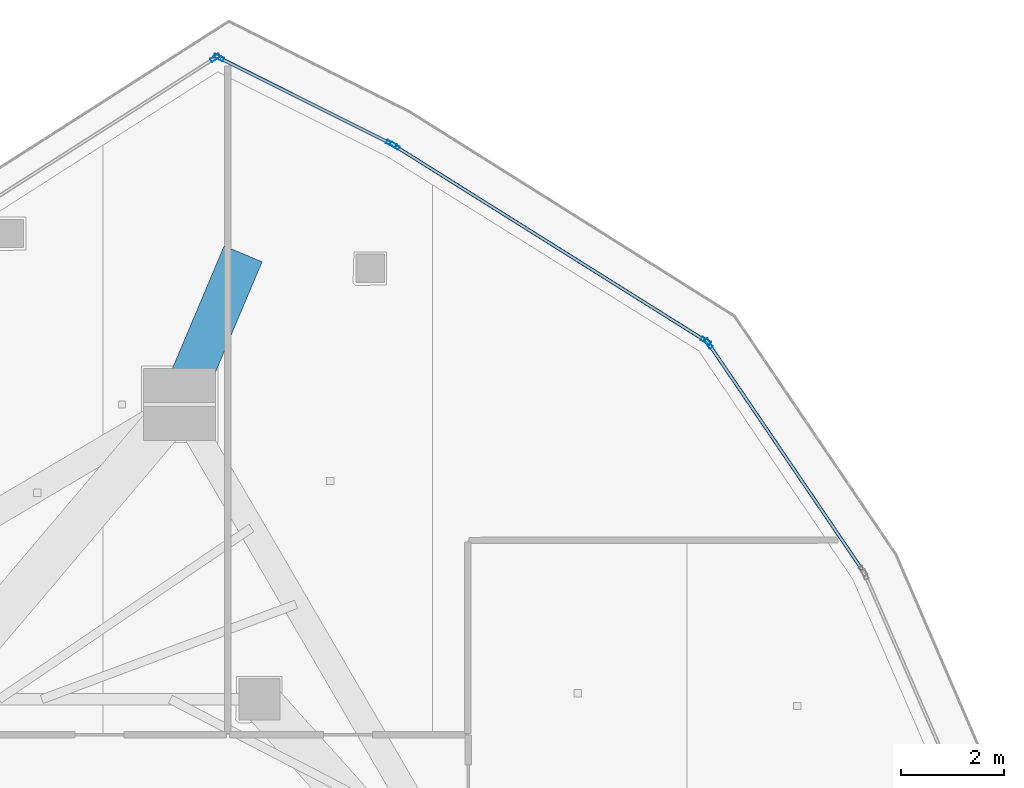
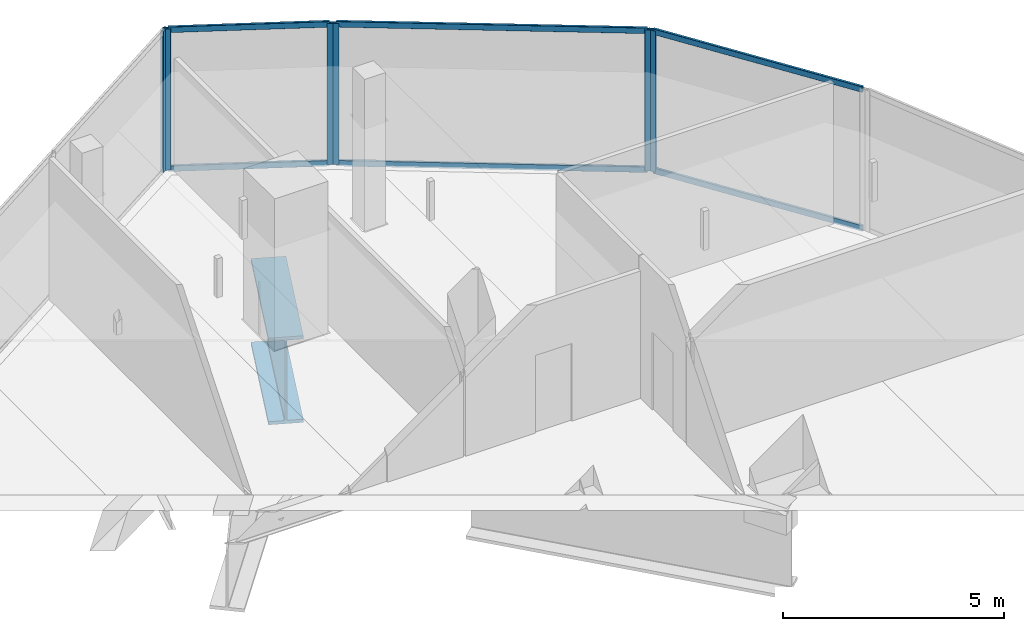
# One storey, part 18 of 29: 12 members, 1 beam, 4 elements without a shape of their own.
"""IFC4 building model written with IfcOpenShell, lengths in metres."""

from ifc_helpers import new_model, si_unit, direction, frame, origin, origin_2d, place, context, subcontext, project, spatial, hollow_rectangle, i_section, extrude, material, layer, layer_set, material_profile, profile_set, type_object, element, aggregate, save


model = new_model("IFC4")

# Units and contexts
model_context = context("Model", 3, precision=1e-05, world=origin(), true_north=direction((0.0, 1.0)))
body_context = subcontext(model_context, "Body", "Model", "MODEL_VIEW")
ifc_project = project(units=[si_unit("LENGTHUNIT", "METRE"), si_unit("AREAUNIT", "SQUARE_METRE"), si_unit("VOLUMEUNIT", "CUBIC_METRE"), si_unit("PLANEANGLEUNIT", "RADIAN"), si_unit("MASSUNIT", "GRAM", prefix="KILO")], contexts=[model_context])

# Site, building, storey
site_placement = place(None, origin())
site = spatial("IfcSite", under=ifc_project, at=site_placement, CompositionType="ELEMENT")
building_placement = place(site_placement, origin())
building = spatial("IfcBuilding", under=site, at=building_placement, Name="Qorvath Tower", CompositionType="ELEMENT")
storey_placement = place(building_placement, frame((0.0, 0.0, 285.0)))
storey = spatial("IfcBuildingStorey", under=building, at=storey_placement, Name="L66", CompositionType="ELEMENT", Elevation=285.0)

# Beam
ifc_material_1 = material(Name="Steel ASTM A572 Grade 50", Category="steel")
ifc_material_profile_1 = material_profile(ifc_material_1, i_section(OverallWidth=0.800048828125, OverallDepth=2.39990234375, WebThickness=0.044921875, FlangeThickness=0.090087890625, FilletRadius=0.02490234375, at=origin_2d()), Name="WTG 2400x800")
ifc_profile_set_1 = profile_set([ifc_material_profile_1], Name="Steel ASTM A572 Grade 50")
beam_type = type_object("IfcBeamType", Name="BM-TG2", PredefinedType="BEAM", material=ifc_profile_set_1)
beam_placement = place(storey_placement, frame((-17.515380859375, 20.1015625, -1.489990234375), z_axis=(-0.3888850492, -0.921286284772, 0.0), x_axis=(0.921286284772, -0.3888850492, 0.0)))
element("IfcBeam", 1, at=beam_placement, inside=storey, type_object=beam_type, Name="Zone Step Transfer Tie MC6 L66", PredefinedType="BEAM", context=body_context, shape_type="SweptSolid", body=[
    extrude(i_section(OverallWidth=0.800048828125, OverallDepth=2.39990234375, WebThickness=0.044921875, FlangeThickness=0.090087890625, FilletRadius=0.02490234375, at=origin_2d()), origin(), (0.0, 0.0, 1.0), 3.176025390625),
])

# Curtain wall, member
ifc_material_2 = material(Name="Anodised aluminium and triple low-E glass", Category="aluminium")
ifc_layer = layer(ifc_material_2, 0.179931640625)
ifc_layer_set = layer_set([ifc_layer], Name="CW-SYS-4")
curtain_wall_type = type_object("IfcCurtainWallType", Name="CW-SYS-4", PredefinedType="NOTDEFINED", material=ifc_layer_set)
curtain_wall_1_placement = place(storey_placement, origin())
curtain_wall_1 = element("IfcCurtainWall", 2, at=curtain_wall_1_placement, inside=storey, type_object=curtain_wall_type, Name="Curtain Wall CW-4 CW-T-L66-13.1", PredefinedType="NOTDEFINED")
ifc_material_3 = material(Name="Anodised aluminium 6063-T6", Category="aluminium")
ifc_material_profile_2 = material_profile(ifc_material_3, hollow_rectangle(XDim=0.074951171875, YDim=0.199951171875, WallThickness=0.00390625, InnerFilletRadius=0.00390625, OuterFilletRadius=0.008056640625, at=origin_2d()), Name="CWM 200x75")
ifc_profile_set_2 = profile_set([ifc_material_profile_2], Name="Anodised aluminium 6063-T6")
member_type_1 = type_object("IfcMemberType", Name="CWM-200", PredefinedType="MULLION", material=ifc_profile_set_2)
member_1_placement = place(storey_placement, frame((-8.47607421875, 18.3564453125, 0.0), z_axis=(0.0, 0.0, 1.0), x_axis=(-0.827177497637, -0.561940732999, 0.0)))
member_1 = element("IfcMember", 3, at=member_1_placement, type_object=member_type_1, Name="CW-4 mullion 2", PredefinedType="MULLION", context=body_context, shape_type="SweptSolid", body=[
    extrude(hollow_rectangle(XDim=0.074951171875, YDim=0.199951171875, WallThickness=0.00390625, InnerFilletRadius=0.00390625, OuterFilletRadius=0.008056640625, at=origin_2d()), origin(), (0.0, 0.0, 1.0), 3.909912109375),
])

# Curtain wall, members
curtain_wall_2_placement = place(storey_placement, origin())
curtain_wall_2 = element("IfcCurtainWall", 4, at=curtain_wall_2_placement, inside=storey, type_object=curtain_wall_type, Name="Curtain Wall CW-4 CW-T-L66-14.1", PredefinedType="NOTDEFINED")
member_2_placement = place(storey_placement, frame((-8.52880859375, 18.407470703125, 0.0), z_axis=(0.0, 0.0, 1.0), x_axis=(-0.531419269597, -0.847108942168, 0.0)))
member_2 = element("IfcMember", 5, at=member_2_placement, type_object=member_type_1, Name="CW-4 mullion 1", PredefinedType="MULLION", context=body_context, shape_type="SweptSolid", body=[
    extrude(hollow_rectangle(XDim=0.074951171875, YDim=0.199951171875, WallThickness=0.00390625, InnerFilletRadius=0.00390625, OuterFilletRadius=0.008056640625, at=origin_2d()), origin(), (0.0, 0.0, 1.0), 3.909912109375),
])
member_3_placement = place(storey_placement, frame((-14.57373046875, 22.199462890625, 0.0), z_axis=(0.0, 0.0, 1.0), x_axis=(-0.531419269597, -0.847108942168, 0.0)))
member_3 = element("IfcMember", 6, at=member_3_placement, type_object=member_type_1, Name="CW-4 mullion 2", PredefinedType="MULLION", context=body_context, shape_type="SweptSolid", body=[
    extrude(hollow_rectangle(XDim=0.074951171875, YDim=0.199951171875, WallThickness=0.00390625, InnerFilletRadius=0.00390625, OuterFilletRadius=0.008056640625, at=origin_2d()), origin(), (0.0, 0.0, 1.0), 3.909912109375),
])

curtain_wall_3_placement = place(storey_placement, origin())
curtain_wall_3 = element("IfcCurtainWall", 7, at=curtain_wall_3_placement, inside=storey, type_object=curtain_wall_type, Name="Curtain Wall CW-4 CW-T-L66-15.1", PredefinedType="NOTDEFINED")
member_4_placement = place(storey_placement, frame((-14.63916015625, 22.236328125, 0.0), z_axis=(0.0, 0.0, 1.0), x_axis=(-0.447234528419, -0.894416724234, 0.0)))
member_4 = element("IfcMember", 8, at=member_4_placement, type_object=member_type_1, Name="CW-4 mullion 1", PredefinedType="MULLION", context=body_context, shape_type="SweptSolid", body=[
    extrude(hollow_rectangle(XDim=0.074951171875, YDim=0.199951171875, WallThickness=0.00390625, InnerFilletRadius=0.00390625, OuterFilletRadius=0.008056640625, at=origin_2d()), origin(), (0.0, 0.0, 1.0), 3.909912109375),
])
member_5_placement = place(storey_placement, frame((-17.990234375, 23.911865234375, 0.0), z_axis=(0.0, 0.0, 1.0), x_axis=(-0.447234528419, -0.894416724234, 0.0)))
member_5 = element("IfcMember", 9, at=member_5_placement, type_object=member_type_1, Name="CW-4 mullion 2", PredefinedType="MULLION", context=body_context, shape_type="SweptSolid", body=[
    extrude(hollow_rectangle(XDim=0.074951171875, YDim=0.199951171875, WallThickness=0.00390625, InnerFilletRadius=0.00390625, OuterFilletRadius=0.008056640625, at=origin_2d()), origin(), (0.0, 0.0, 1.0), 3.909912109375),
])

# Curtain wall, member
curtain_wall_4_placement = place(storey_placement, origin())
curtain_wall_4 = element("IfcCurtainWall", 10, at=curtain_wall_4_placement, inside=storey, type_object=curtain_wall_type, Name="Curtain Wall CW-4 CW-T-L66-16.1", PredefinedType="NOTDEFINED")
member_6_placement = place(storey_placement, frame((-18.05517578125, 23.908447265625, 0.0), z_axis=(0.0, 0.0, 1.0), x_axis=(0.538532094557, -0.842604998283, 0.0)))
member_6 = element("IfcMember", 11, at=member_6_placement, type_object=member_type_1, Name="CW-4 mullion 1", PredefinedType="MULLION", context=body_context, shape_type="SweptSolid", body=[
    extrude(hollow_rectangle(XDim=0.074951171875, YDim=0.199951171875, WallThickness=0.00390625, InnerFilletRadius=0.00390625, OuterFilletRadius=0.008056640625, at=origin_2d()), origin(), (0.0, 0.0, 1.0), 3.909912109375),
])
aggregate(curtain_wall_4, [member_6])

# Member
ifc_material_4 = material(Name="Anodised aluminium 6063-T6", Category="aluminium")
ifc_material_profile_3 = material_profile(ifc_material_4, hollow_rectangle(XDim=0.06494140625, YDim=0.159912109375, WallThickness=0.00341796875, InnerFilletRadius=0.00341796875, OuterFilletRadius=0.007080078125, at=origin_2d()), Name="CWT 160x65")
ifc_profile_set_3 = profile_set([ifc_material_profile_3], Name="Anodised aluminium 6063-T6")
member_type_2 = type_object("IfcMemberType", Name="CWT-160", PredefinedType="USERDEFINED", material=ifc_profile_set_3)
member_7_placement = place(storey_placement, frame((-5.496337890625, 13.97021484375, 0.032470703125), z_axis=(-0.561912969633, 0.827196357921, 0.0), x_axis=(-0.827196357921, -0.561912969633, 0.0)))
member_7 = element("IfcMember", 12, at=member_7_placement, type_object=member_type_2, Name="CW-4 transom 1.1", ObjectType="TRANSOM", PredefinedType="USERDEFINED", context=body_context, shape_type="SweptSolid", body=[
    extrude(hollow_rectangle(XDim=0.06494140625, YDim=0.159912109375, WallThickness=0.00341796875, InnerFilletRadius=0.00341796875, OuterFilletRadius=0.007080078125, at=origin_2d()), origin(), (0.0, 0.0, 1.0), 5.26513671875),
])

member_8_placement = place(storey_placement, frame((-5.496337890625, 13.97021484375, 3.87744140625), z_axis=(-0.561912969633, 0.827196357921, 0.0), x_axis=(-0.827196357921, -0.561912969633, 0.0)))
member_8 = element("IfcMember", 13, at=member_8_placement, type_object=member_type_2, Name="CW-4 transom 1.2", ObjectType="TRANSOM", PredefinedType="USERDEFINED", context=body_context, shape_type="SweptSolid", body=[
    extrude(hollow_rectangle(XDim=0.06494140625, YDim=0.159912109375, WallThickness=0.00341796875, InnerFilletRadius=0.00341796875, OuterFilletRadius=0.007080078125, at=origin_2d()), origin(), (0.0, 0.0, 1.0), 5.26513671875),
])

aggregate(curtain_wall_1, [member_1, member_7, member_8])

member_9_placement = place(storey_placement, frame((-8.560546875, 18.42724609375, 0.032470703125), z_axis=(-0.847103570693, 0.5314278319, 0.0), x_axis=(-0.5314278319, -0.847103570693, 0.0)))
member_9 = element("IfcMember", 14, at=member_9_placement, type_object=member_type_2, Name="CW-4 transom 1.1", ObjectType="TRANSOM", PredefinedType="USERDEFINED", context=body_context, shape_type="SweptSolid", body=[
    extrude(hollow_rectangle(XDim=0.06494140625, YDim=0.159912109375, WallThickness=0.00341796875, InnerFilletRadius=0.00341796875, OuterFilletRadius=0.007080078125, at=origin_2d()), origin(), (0.0, 0.0, 1.0), 7.06103515625),
])

member_10_placement = place(storey_placement, frame((-8.560546875, 18.42724609375, 3.87744140625), z_axis=(-0.847103570693, 0.5314278319, 0.0), x_axis=(-0.5314278319, -0.847103570693, 0.0)))
member_10 = element("IfcMember", 15, at=member_10_placement, type_object=member_type_2, Name="CW-4 transom 1.2", ObjectType="TRANSOM", PredefinedType="USERDEFINED", context=body_context, shape_type="SweptSolid", body=[
    extrude(hollow_rectangle(XDim=0.06494140625, YDim=0.159912109375, WallThickness=0.00341796875, InnerFilletRadius=0.00341796875, OuterFilletRadius=0.007080078125, at=origin_2d()), origin(), (0.0, 0.0, 1.0), 7.06103515625),
])

aggregate(curtain_wall_2, [member_2, member_3, member_9, member_10])

member_11_placement = place(storey_placement, frame((-14.672607421875, 22.2529296875, 0.032470703125), z_axis=(-0.894387292089, 0.447293384424, 0.0), x_axis=(-0.447293384424, -0.894387292089, 0.0)))
member_11 = element("IfcMember", 16, at=member_11_placement, type_object=member_type_2, Name="CW-4 transom 1.1", ObjectType="TRANSOM", PredefinedType="USERDEFINED", context=body_context, shape_type="SweptSolid", body=[
    extrude(hollow_rectangle(XDim=0.06494140625, YDim=0.159912109375, WallThickness=0.00341796875, InnerFilletRadius=0.00341796875, OuterFilletRadius=0.007080078125, at=origin_2d()), origin(), (0.0, 0.0, 1.0), 3.671630859375),
])

member_12_placement = place(storey_placement, frame((-14.672607421875, 22.2529296875, 3.87744140625), z_axis=(-0.894387292089, 0.447293384424, 0.0), x_axis=(-0.447293384424, -0.894387292089, 0.0)))
member_12 = element("IfcMember", 17, at=member_12_placement, type_object=member_type_2, Name="CW-4 transom 1.2", ObjectType="TRANSOM", PredefinedType="USERDEFINED", context=body_context, shape_type="SweptSolid", body=[
    extrude(hollow_rectangle(XDim=0.06494140625, YDim=0.159912109375, WallThickness=0.00341796875, InnerFilletRadius=0.00341796875, OuterFilletRadius=0.007080078125, at=origin_2d()), origin(), (0.0, 0.0, 1.0), 3.671630859375),
])

aggregate(curtain_wall_3, [member_4, member_5, member_11, member_12])

save(model, "model.ifc")
